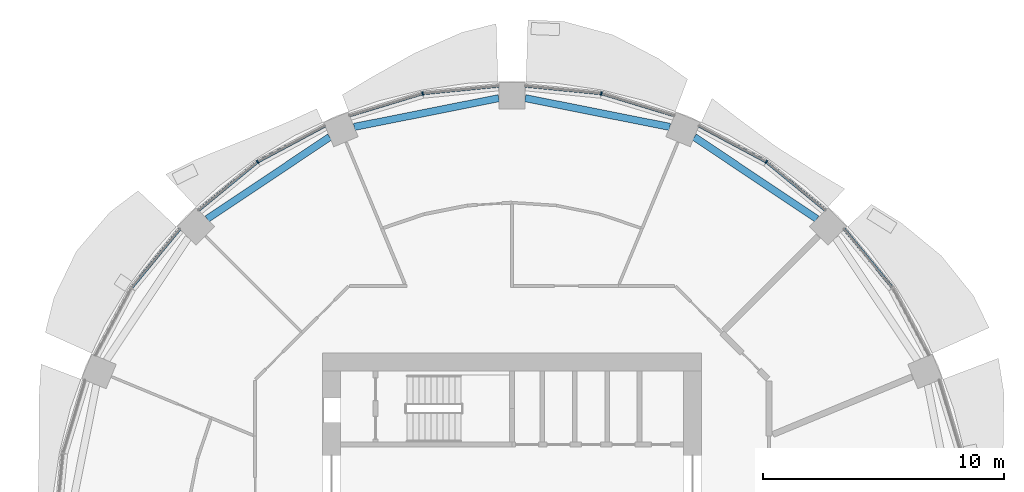
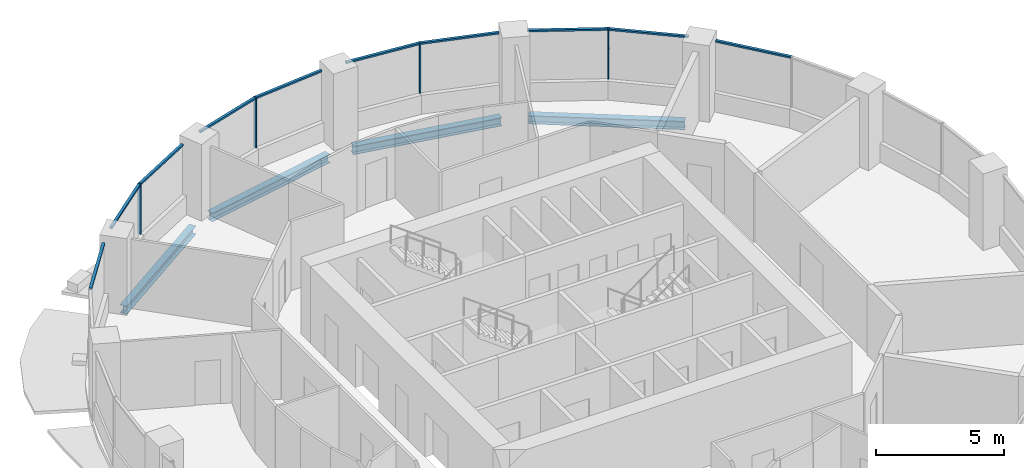
# One storey, part 5 of 14: 14 members, 4 beams, 6 elements without a shape of their own.
"""IFC4 building model written with IfcOpenShell, lengths in metres."""

from ifc_helpers import new_model, si_unit, direction, frame, origin, origin_2d, place, context, subcontext, project, spatial, rectangle, i_section, extrude, material, material_profile, profile_set, type_object, element, aggregate, save


model = new_model("IFC4")

# Units and contexts
model_context = context("Model", 3, precision=1e-05, world=origin(), true_north=direction((0.0, 1.0)))
body_context = subcontext(model_context, "Body", "Model", "MODEL_VIEW")
ifc_project = project(units=[si_unit("LENGTHUNIT", "METRE"), si_unit("AREAUNIT", "SQUARE_METRE"), si_unit("VOLUMEUNIT", "CUBIC_METRE"), si_unit("PLANEANGLEUNIT", "RADIAN"), si_unit("MASSUNIT", "GRAM", prefix="KILO")], contexts=[model_context])

# Site, building, storey
site_placement = place(None, origin())
site = spatial("IfcSite", under=ifc_project, at=site_placement, CompositionType="ELEMENT")
building_placement = place(site_placement, origin())
building = spatial("IfcBuilding", under=site, at=building_placement, Name="Polderwave Tower", CompositionType="ELEMENT")
storey_placement = place(building_placement, frame((0.0, 0.0, 109.25)))
storey = spatial("IfcBuildingStorey", under=building, at=storey_placement, Name="L28", CompositionType="ELEMENT", Elevation=109.25)

# Curtain wall, member
ifc_material_1 = material(Name="Aluminium 6063-T6 and glass", Category="aluminium")
curtain_wall_type = type_object("IfcCurtainWallType", Name="Growing floor ribbon glazing wall", PredefinedType="NOTDEFINED", material=ifc_material_1)
curtain_wall_1_placement = place(storey_placement, origin())
curtain_wall_1 = element("IfcCurtainWall", 1, at=curtain_wall_1_placement, inside=storey, type_object=curtain_wall_type, Name="CW2 L28 02", PredefinedType="NOTDEFINED")
ifc_material_2 = material(Name="Aluminium 6063-T6", Category="aluminium")
ifc_material_profile_1 = material_profile(ifc_material_2, rectangle(XDim=0.14990234375, YDim=0.06005859375, at=origin_2d()), Name="AL 60x150")
ifc_profile_set_1 = profile_set([ifc_material_profile_1], Name="Aluminium 6063-T6")
member_type_1 = type_object("IfcMemberType", Name="Growing floor ribbon glazing mullion 60x150", PredefinedType="MULLION", material=ifc_profile_set_1)
member_1_placement = place(storey_placement, frame((10.572998046875, 15.822998046875, 0.89990234375), z_axis=(0.0, 0.0, 1.0), x_axis=(-0.555584744817, -0.831459915646, 0.0)))
member_1 = element("IfcMember", 2, at=member_1_placement, type_object=member_type_1, Name="CW2 mullion 1", PredefinedType="MULLION", context=body_context, shape_type="SweptSolid", body=[
    extrude(rectangle(XDim=0.14990234375, YDim=0.06005859375, at=origin_2d()), origin(), (0.0, 0.0, 1.0), 2.400146484375),
])

curtain_wall_2_placement = place(storey_placement, origin())
curtain_wall_2 = element("IfcCurtainWall", 3, at=curtain_wall_2_placement, inside=storey, type_object=curtain_wall_type, Name="CW2 L28 03", PredefinedType="NOTDEFINED")
member_2_placement = place(storey_placement, frame((3.712890625, 18.6640625, 0.89990234375), z_axis=(0.0, 0.0, 1.0), x_axis=(-0.195092033809, -0.980784939905, 0.0)))
member_2 = element("IfcMember", 4, at=member_2_placement, type_object=member_type_1, Name="CW2 mullion 1", PredefinedType="MULLION", context=body_context, shape_type="SweptSolid", body=[
    extrude(rectangle(XDim=0.14990234375, YDim=0.06005859375, at=origin_2d()), origin(), (0.0, 0.0, 1.0), 2.400146484375),
])

curtain_wall_3_placement = place(storey_placement, origin())
curtain_wall_3 = element("IfcCurtainWall", 5, at=curtain_wall_3_placement, inside=storey, type_object=curtain_wall_type, Name="CW2 L28 04", PredefinedType="NOTDEFINED")
member_3_placement = place(storey_placement, frame((-3.712890625, 18.6640625, 0.89990234375), z_axis=(0.0, 0.0, 1.0), x_axis=(0.195092033809, -0.980784939905, 0.0)))
member_3 = element("IfcMember", 6, at=member_3_placement, type_object=member_type_1, Name="CW2 mullion 1", PredefinedType="MULLION", context=body_context, shape_type="SweptSolid", body=[
    extrude(rectangle(XDim=0.14990234375, YDim=0.06005859375, at=origin_2d()), origin(), (0.0, 0.0, 1.0), 2.400146484375),
])

curtain_wall_4_placement = place(storey_placement, origin())
curtain_wall_4 = element("IfcCurtainWall", 7, at=curtain_wall_4_placement, inside=storey, type_object=curtain_wall_type, Name="CW2 L28 05", PredefinedType="NOTDEFINED")
member_4_placement = place(storey_placement, frame((-10.572998046875, 15.822998046875, 0.89990234375), z_axis=(0.0, 0.0, 1.0), x_axis=(0.555584744817, -0.831459915646, 0.0)))
member_4 = element("IfcMember", 8, at=member_4_placement, type_object=member_type_1, Name="CW2 mullion 1", PredefinedType="MULLION", context=body_context, shape_type="SweptSolid", body=[
    extrude(rectangle(XDim=0.14990234375, YDim=0.06005859375, at=origin_2d()), origin(), (0.0, 0.0, 1.0), 2.400146484375),
])

curtain_wall_5_placement = place(storey_placement, origin())
curtain_wall_5 = element("IfcCurtainWall", 9, at=curtain_wall_5_placement, inside=storey, type_object=curtain_wall_type, Name="CW2 L28 01", PredefinedType="NOTDEFINED")
ifc_material_profile_2 = material_profile(ifc_material_2, rectangle(XDim=0.1201171875, YDim=0.080078125, at=origin_2d()), Name="AL 80x120")
ifc_profile_set_2 = profile_set([ifc_material_profile_2], Name="Aluminium 6063-T6")
member_type_2 = type_object("IfcMemberType", Name="Growing floor ribbon glazing transom 80x120", PredefinedType="USERDEFINED", material=ifc_profile_set_2)
member_5_placement = place(storey_placement, frame((15.803955078125, 10.59619140625, 3.260009765625), z_axis=(-0.634483003965, 0.77293681351, 0.0), x_axis=(-0.77293681351, -0.634483003965, 0.0)))
member_5 = element("IfcMember", 10, at=member_5_placement, type_object=member_type_2, Name="CW2 transom 2", ObjectType="TRANSOM", PredefinedType="USERDEFINED", context=body_context, shape_type="SweptSolid", body=[
    extrude(rectangle(XDim=0.1201171875, YDim=0.080078125, at=origin_2d()), origin(), (0.0, 0.0, 1.0), 3.1474609375),
])
aggregate(curtain_wall_5, [member_5])

# Member
member_6_placement = place(storey_placement, frame((13.029052734375, 13.806884765625, 3.260009765625), z_axis=(-0.77293681351, 0.634483003965, 0.0), x_axis=(-0.634483003965, -0.77293681351, 0.0)))
member_6 = element("IfcMember", 11, at=member_6_placement, type_object=member_type_2, Name="CW2 transom 1", ObjectType="TRANSOM", PredefinedType="USERDEFINED", context=body_context, shape_type="SweptSolid", body=[
    extrude(rectangle(XDim=0.1201171875, YDim=0.080078125, at=origin_2d()), origin(), (0.0, 0.0, 1.0), 3.1474609375),
])

member_7_placement = place(storey_placement, frame((10.54638671875, 15.837158203125, 3.260009765625), z_axis=(-0.88193611562, 0.471368950997, 0.0), x_axis=(-0.471368950997, -0.88193611562, 0.0)))
member_7 = element("IfcMember", 12, at=member_7_placement, type_object=member_type_2, Name="CW2 transom 2", ObjectType="TRANSOM", PredefinedType="USERDEFINED", context=body_context, shape_type="SweptSolid", body=[
    extrude(rectangle(XDim=0.1201171875, YDim=0.080078125, at=origin_2d()), origin(), (0.0, 0.0, 1.0), 3.14794921875),
])

aggregate(curtain_wall_1, [member_1, member_6, member_7])

member_8_placement = place(storey_placement, frame((6.75390625, 17.741943359375, 3.260009765625), z_axis=(-0.956976770627, 0.290164540356, 0.0), x_axis=(-0.290164540356, -0.956976770627, 0.0)))
member_8 = element("IfcMember", 13, at=member_8_placement, type_object=member_type_2, Name="CW2 transom 1", ObjectType="TRANSOM", PredefinedType="USERDEFINED", context=body_context, shape_type="SweptSolid", body=[
    extrude(rectangle(XDim=0.1201171875, YDim=0.080078125, at=origin_2d()), origin(), (0.0, 0.0, 1.0), 3.147705078125),
])

member_9_placement = place(storey_placement, frame((3.68310546875, 18.6669921875, 3.260009765625), z_axis=(-0.995169132792, 0.098175338745, 0.0), x_axis=(-0.098175338745, -0.995169132792, 0.0)))
member_9 = element("IfcMember", 14, at=member_9_placement, type_object=member_type_2, Name="CW2 transom 2", ObjectType="TRANSOM", PredefinedType="USERDEFINED", context=body_context, shape_type="SweptSolid", body=[
    extrude(rectangle(XDim=0.1201171875, YDim=0.080078125, at=origin_2d()), origin(), (0.0, 0.0, 1.0), 3.148193359375),
])

aggregate(curtain_wall_2, [member_2, member_8, member_9])

member_10_placement = place(storey_placement, frame((-0.550048828125, 18.97607421875, 3.260009765625), z_axis=(-0.995169132792, -0.098175338745, 0.0), x_axis=(0.098175338745, -0.995169132792, 0.0)))
member_10 = element("IfcMember", 15, at=member_10_placement, type_object=member_type_2, Name="CW2 transom 1", ObjectType="TRANSOM", PredefinedType="USERDEFINED", context=body_context, shape_type="SweptSolid", body=[
    extrude(rectangle(XDim=0.1201171875, YDim=0.080078125, at=origin_2d()), origin(), (0.0, 0.0, 1.0), 3.148193359375),
])

member_11_placement = place(storey_placement, frame((-3.74169921875, 18.6552734375, 3.260009765625), z_axis=(-0.956976770627, -0.290164540356, 0.0), x_axis=(0.290164540356, -0.956976770627, 0.0)))
member_11 = element("IfcMember", 16, at=member_11_placement, type_object=member_type_2, Name="CW2 transom 2", ObjectType="TRANSOM", PredefinedType="USERDEFINED", context=body_context, shape_type="SweptSolid", body=[
    extrude(rectangle(XDim=0.1201171875, YDim=0.080078125, at=origin_2d()), origin(), (0.0, 0.0, 1.0), 3.147705078125),
])

aggregate(curtain_wall_3, [member_3, member_10, member_11])

member_12_placement = place(storey_placement, frame((-7.77001953125, 17.321044921875, 3.260009765625), z_axis=(-0.88193611562, -0.471368950997, 0.0), x_axis=(0.471368950997, -0.88193611562, 0.0)))
member_12 = element("IfcMember", 17, at=member_12_placement, type_object=member_type_2, Name="CW2 transom 1", ObjectType="TRANSOM", PredefinedType="USERDEFINED", context=body_context, shape_type="SweptSolid", body=[
    extrude(rectangle(XDim=0.1201171875, YDim=0.080078125, at=origin_2d()), origin(), (0.0, 0.0, 1.0), 3.14794921875),
])

member_13_placement = place(storey_placement, frame((-10.59619140625, 15.803955078125, 3.260009765625), z_axis=(-0.77293681351, -0.634483003965, 0.0), x_axis=(0.634483003965, -0.77293681351, 0.0)))
member_13 = element("IfcMember", 18, at=member_13_placement, type_object=member_type_2, Name="CW2 transom 2", ObjectType="TRANSOM", PredefinedType="USERDEFINED", context=body_context, shape_type="SweptSolid", body=[
    extrude(rectangle(XDim=0.1201171875, YDim=0.080078125, at=origin_2d()), origin(), (0.0, 0.0, 1.0), 3.1474609375),
])

aggregate(curtain_wall_4, [member_4, member_12, member_13])

# Curtain wall, member
curtain_wall_6_placement = place(storey_placement, origin())
curtain_wall_6 = element("IfcCurtainWall", 19, at=curtain_wall_6_placement, inside=storey, type_object=curtain_wall_type, Name="CW2 L28 06", PredefinedType="NOTDEFINED")
member_14_placement = place(storey_placement, frame((-13.806884765625, 13.029052734375, 3.260009765625), z_axis=(-0.634483003965, -0.77293681351, 0.0), x_axis=(0.77293681351, -0.634483003965, 0.0)))
member_14 = element("IfcMember", 20, at=member_14_placement, type_object=member_type_2, Name="CW2 transom 1", ObjectType="TRANSOM", PredefinedType="USERDEFINED", context=body_context, shape_type="SweptSolid", body=[
    extrude(rectangle(XDim=0.1201171875, YDim=0.080078125, at=origin_2d()), origin(), (0.0, 0.0, 1.0), 3.1474609375),
])
aggregate(curtain_wall_6, [member_14])

# Beams
ifc_material_3 = material(Name="Steel S355", Category="steel")
ifc_material_profile_3 = material_profile(ifc_material_3, i_section(OverallWidth=0.300048828125, OverallDepth=0.39990234375, WebThickness=0.013427734375, FlangeThickness=0.02392578125, at=origin_2d()), Name="HE 400 B")
ifc_profile_set_3 = profile_set([ifc_material_profile_3], Name="Steel S355")
beam_type = type_object("IfcBeamType", Name="RING BEAM HE 400 B", PredefinedType="BEAM", material=ifc_profile_set_3)
beam_1_placement = place(storey_placement, frame((12.671875, 13.44970703125, -0.550048828125), z_axis=(-0.83147985083, 0.555554909675, 0.0), x_axis=(-0.555554909675, -0.83147985083, 0.0)))
element("IfcBeam", 21, at=beam_1_placement, inside=storey, type_object=beam_type, Name="ST-RB-L28-02", PredefinedType="BEAM", context=body_context, shape_type="SweptSolid", body=[
    extrude(i_section(OverallWidth=0.300048828125, OverallDepth=0.39990234375, WebThickness=0.013427734375, FlangeThickness=0.02392578125, at=origin_2d()), origin(), (0.0, 0.0, 1.0), 6.128173828125),
])
for number, where, z_axis, x_axis, name in (
    (22, (6.560302734375, 17.275146484375, -0.550048828125), (-0.980783943751, 0.195097041699, 0.0), (-0.195097041699, -0.980783943751, 0.0), "ST-RB-L28-03"),
    (23, (-0.550048828125, 18.470703125, -0.550048828125), (-0.980783943751, -0.195097041699, 0.0), (0.195097041699, -0.980783943751, 0.0), "ST-RB-L28-04"),
):
    element("IfcBeam", number, at=place(storey_placement, frame(where, z_axis=z_axis, x_axis=x_axis)), inside=storey, type_object=beam_type, Name=name, PredefinedType="BEAM", context=body_context, shape_type="SweptSolid", body=[
        extrude(i_section(OverallWidth=0.300048828125, OverallDepth=0.39990234375, WebThickness=0.013427734375, FlangeThickness=0.02392578125, at=origin_2d()), origin(), (0.0, 0.0, 1.0), 6.1279296875),
    ])
beam_2_placement = place(storey_placement, frame((-7.576416015625, 16.854248046875, -0.550048828125), z_axis=(-0.83147985083, -0.555554909675, 0.0), x_axis=(0.555554909675, -0.83147985083, 0.0)))
element("IfcBeam", 24, at=beam_2_placement, inside=storey, type_object=beam_type, Name="ST-RB-L28-05", PredefinedType="BEAM", context=body_context, shape_type="SweptSolid", body=[
    extrude(i_section(OverallWidth=0.300048828125, OverallDepth=0.39990234375, WebThickness=0.013427734375, FlangeThickness=0.02392578125, at=origin_2d()), origin(), (0.0, 0.0, 1.0), 6.128173828125),
])

save(model, "model.ifc")
